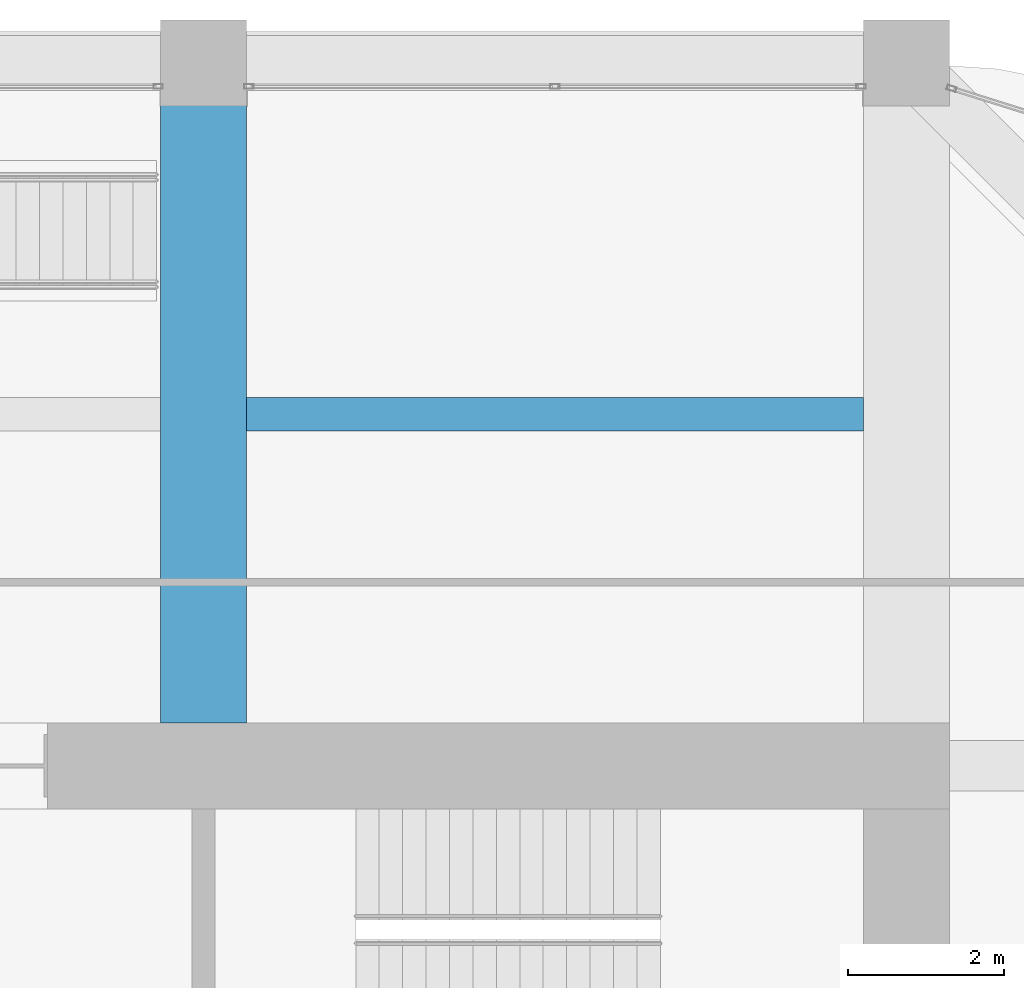
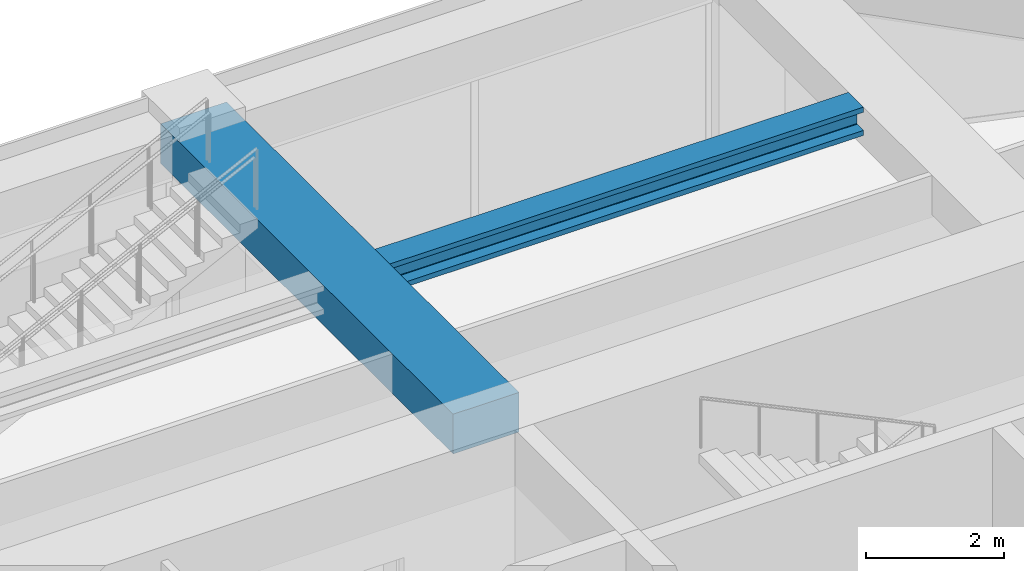
# One storey, part 34 of 45: 2 beams.
"""IFC4 building model written with IfcOpenShell, lengths in metres."""

from ifc_helpers import new_model, si_unit, direction, frame, origin, origin_2d, place, context, subcontext, project, spatial, rectangle, i_section, extrude, material, material_profile, profile_set, type_object, element, save


model = new_model("IFC4")

# Units and contexts
model_context = context("Model", 3, precision=1e-05, world=origin(), true_north=direction((0.0, 1.0)))
body_context = subcontext(model_context, "Body", "Model", "MODEL_VIEW")
ifc_project = project(units=[si_unit("LENGTHUNIT", "METRE"), si_unit("AREAUNIT", "SQUARE_METRE"), si_unit("VOLUMEUNIT", "CUBIC_METRE"), si_unit("PLANEANGLEUNIT", "RADIAN"), si_unit("MASSUNIT", "GRAM", prefix="KILO")], contexts=[model_context])

# Site, building, storey
site_placement = place(None, origin())
site = spatial("IfcSite", under=ifc_project, at=site_placement, CompositionType="ELEMENT")
building_placement = place(site_placement, origin())
building = spatial("IfcBuilding", under=site, at=building_placement, Name="Zorevar Civic Tower", CompositionType="ELEMENT")
storey_placement = place(building_placement, frame((0.0, 0.0, 291.39990234375)))
storey = spatial("IfcBuildingStorey", under=building, at=storey_placement, Name="L71", CompositionType="ELEMENT", Elevation=291.39990234375)

# Beams
ifc_material_1 = material(Name="Concrete C50/60", Category="concrete")
ifc_material_profile_1 = material_profile(ifc_material_1, rectangle(XDim=1.10009765625, YDim=0.699951171875, at=origin_2d()), Name="RC 1100x700")
ifc_profile_set_1 = profile_set([ifc_material_profile_1], Name="Concrete C50/60")
beam_type_1 = type_object("IfcBeamType", Name="Beam RC 1100x700", PredefinedType="BEAM", material=ifc_profile_set_1)
beam_1_placement = place(storey_placement, frame((36.0, 36.550048828125, 3.400146484375), z_axis=(0.0, 1.0, 0.0), x_axis=(-1.0, 0.0, 0.0)))
element("IfcBeam", 1, at=beam_1_placement, inside=storey, type_object=beam_type_1, Name="Girder L72", PredefinedType="BEAM", context=body_context, shape_type="SweptSolid", body=[
    extrude(rectangle(XDim=1.10009765625, YDim=0.699951171875, at=origin_2d()), origin(), (0.0, 0.0, 1.0), 8.449951171875),
])
ifc_material_2 = material(Name="Steel S460M (HISTAR 460)", Category="steel")
ifc_material_profile_2 = material_profile(ifc_material_2, i_section(OverallWidth=0.431884765625, OverallDepth=0.498046875, WebThickness=0.0556640625, FlangeThickness=0.0888671875, FilletRadius=0.014892578125, at=origin_2d()), Name="HD 400x744")
ifc_profile_set_2 = profile_set([ifc_material_profile_2], Name="Steel S460M (HISTAR 460)")
beam_type_2 = type_object("IfcBeamType", Name="Core bay beam HD 400x744", PredefinedType="BEAM", material=ifc_profile_set_2)
beam_2_placement = place(storey_placement, frame((36.550048828125, 40.5, 3.5009765625), z_axis=(1.0, 0.0, 0.0), x_axis=(0.0, 1.0, 0.0)))
element("IfcBeam", 2, at=beam_2_placement, inside=storey, type_object=beam_type_2, Name="Secondary beam L72", PredefinedType="BEAM", context=body_context, shape_type="SweptSolid", body=[
    extrude(i_section(OverallWidth=0.431884765625, OverallDepth=0.498046875, WebThickness=0.0556640625, FlangeThickness=0.0888671875, FilletRadius=0.014892578125, at=origin_2d()), origin(), (0.0, 0.0, 1.0), 7.89990234375),
])

save(model, "model.ifc")
